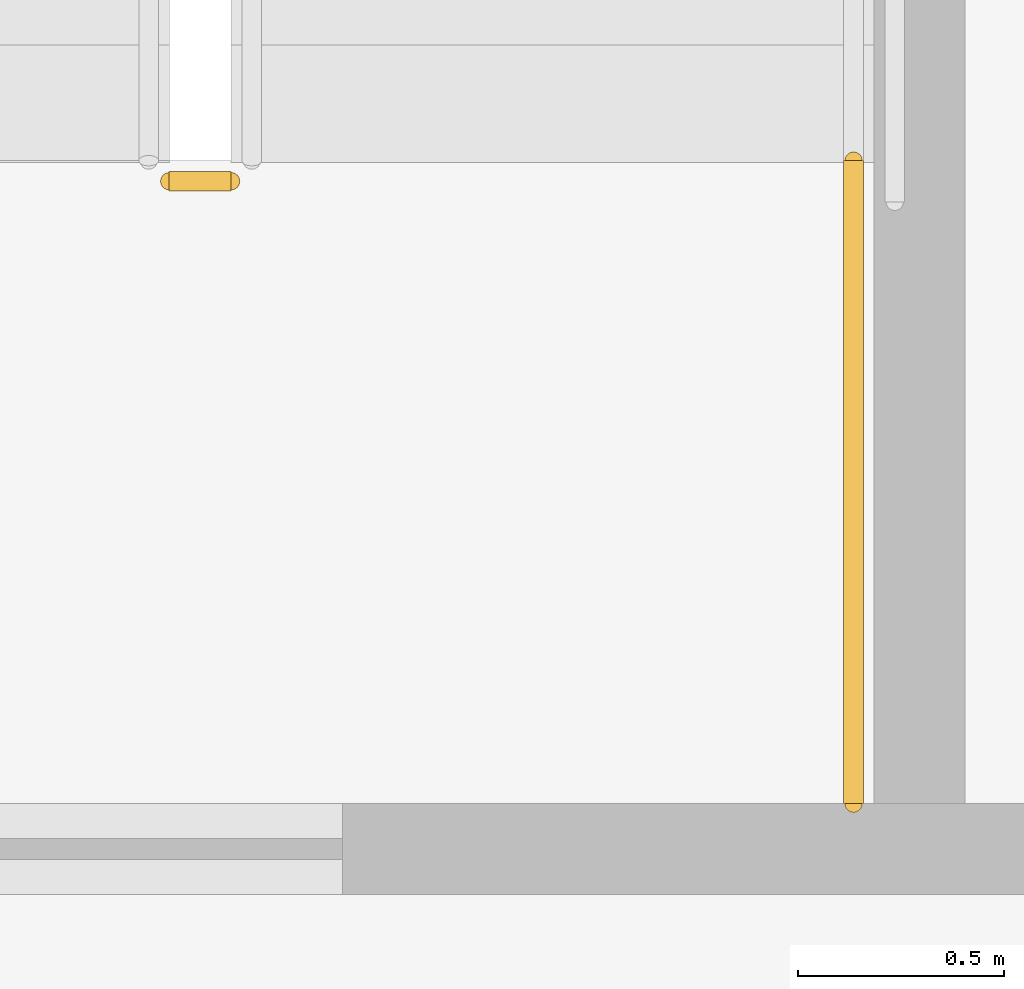
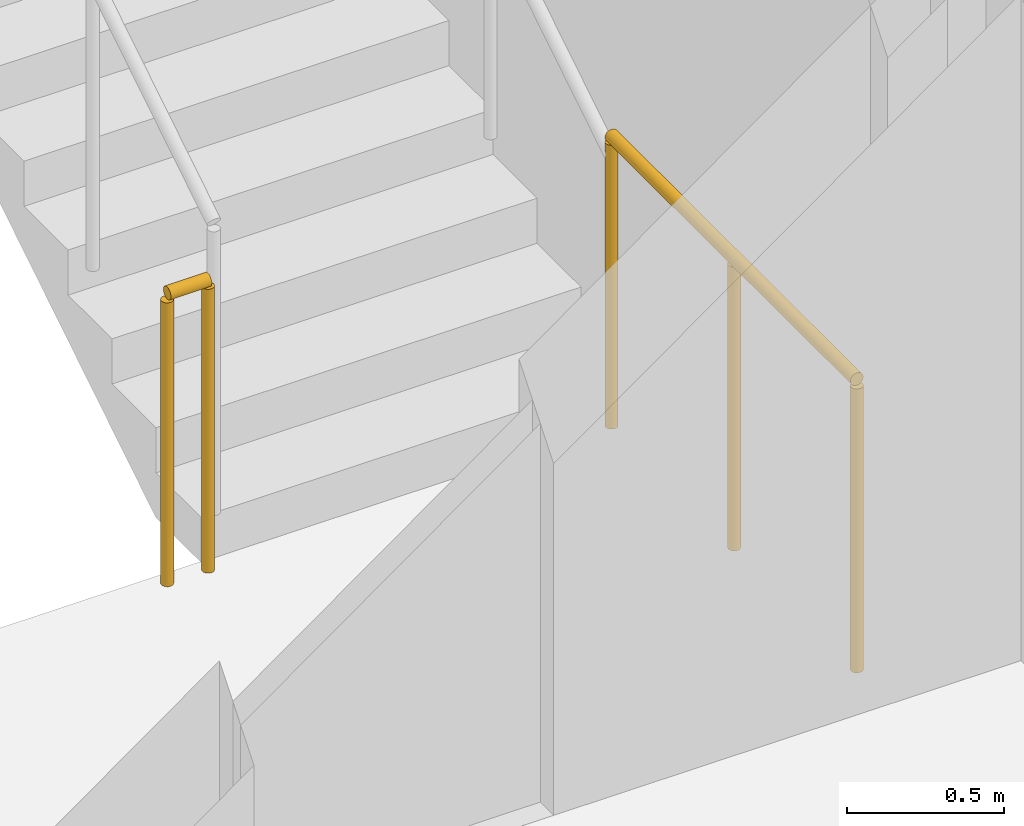
# One storey, part 12 of 15: 2 railings.
"""IFC4 building model written with IfcOpenShell, lengths in metres."""

import ifcopenshell
import ifcopenshell.guid

model = None  # the IFC model being written
_history = None  # IfcOwnerHistory: only IFC2X3 demands one
_inside = {}  # id of a spatial element -> (the spatial element, [elements in it])
_under = {}  # id of a project, library or spatial element -> (it, [spatial elements below it])
_declared = {}  # id of a project -> (the project, [libraries it declares])
_typed = {}  # id of a type object -> (the type object, [elements of that type])
_made_of = {}  # id of a material, layer set ... -> (it, [elements and type objects made of it])


def new_model(schema):
    """Start an empty IFC model of exactly this schema.

    Asked for "IFC4X3", IfcOpenShell would pick the latest addendum, in which some entities
    have other attributes; the version numbers below select the first issue.
    IFC2X3 requires an IfcOwnerHistory on every rooted entity: one is made here for all.
    """
    global model, _history
    if schema == "IFC4X3":
        model = ifcopenshell.file(schema_version=(4, 3, 0, 0))
    else:
        model = ifcopenshell.file(schema=schema)
    _inside.clear()
    _under.clear()
    _declared.clear()
    _typed.clear()
    _made_of.clear()
    _history = None
    if model.schema == "IFC2X3":
        org = make("IfcOrganization", Name="unknown")
        user = make(
            "IfcPersonAndOrganization",
            ThePerson=make("IfcPerson", FamilyName="unknown"),
            TheOrganization=org,
        )
        app = make(
            "IfcApplication",
            ApplicationDeveloper=org,
            Version="unknown",
            ApplicationFullName="unknown",
            ApplicationIdentifier="unknown",
        )
        _history = make(
            "IfcOwnerHistory",
            OwningUser=user,
            OwningApplication=app,
            ChangeAction="ADDED",
            CreationDate=0,
        )
    return model


def make(cls, **values):
    """One entity of the class cls with the attributes given. An attribute that is None is left unset."""
    return model.create_entity(
        cls, **{name: value for name, value in values.items() if value is not None}
    )


def rooted(cls, **values):
    """An entity with a GlobalId (a new one), such as an element, a storey or a relation."""
    return make(cls, GlobalId=ifcopenshell.guid.new(), OwnerHistory=_history, **values)


def si_unit(unit_type, name, prefix=None):
    """IfcSIUnit, for example si_unit("LENGTHUNIT", "METRE", prefix="MILLI")."""
    return make("IfcSIUnit", UnitType=unit_type, Prefix=prefix, Name=name)


def assignment(units):
    """IfcUnitAssignment: the units of a project."""
    return None if units is None else make("IfcUnitAssignment", Units=units)


def point(xyz):
    """IfcCartesianPoint."""
    return None if xyz is None else make("IfcCartesianPoint", Coordinates=xyz)


def direction(xyz):
    """IfcDirection."""
    return None if xyz is None else make("IfcDirection", DirectionRatios=xyz)


def frame(location, z_axis=None, x_axis=None):
    """IfcAxis2Placement3D, a coordinate frame: its origin and axes. An axis left out is left unset."""
    return make(
        "IfcAxis2Placement3D",
        Location=point(location),
        Axis=direction(z_axis),
        RefDirection=direction(x_axis),
    )


def frame_2d(location, x_axis=None):
    """IfcAxis2Placement2D, a coordinate frame in the plane: its origin and x axis."""
    return make(
        "IfcAxis2Placement2D", Location=point(location), RefDirection=direction(x_axis)
    )


def origin():
    """The frame at (0, 0, 0) with its axes left unset."""
    return frame((0.0, 0.0, 0.0))


def origin_2d():
    """The frame at (0, 0) in the plane with its x axis left unset."""
    return frame_2d((0.0, 0.0))


def place(relative_to, where):
    """IfcLocalPlacement: puts the frame where relative to a parent placement (None: the world)."""
    return make(
        "IfcLocalPlacement", PlacementRelTo=relative_to, RelativePlacement=where
    )


def context(
    kind, dimensions, precision=None, world=None, true_north=None, identifier=None
):
    """IfcGeometricRepresentationContext, for example the 3D "Model" context."""
    return make(
        "IfcGeometricRepresentationContext",
        ContextIdentifier=identifier,
        ContextType=kind,
        CoordinateSpaceDimension=dimensions,
        Precision=precision,
        WorldCoordinateSystem=world,
        TrueNorth=true_north,
    )


def subcontext(parent, identifier, kind, view, scale=None):
    """IfcGeometricRepresentationSubContext, for example "Body" below "Model"."""
    return make(
        "IfcGeometricRepresentationSubContext",
        ContextIdentifier=identifier,
        ContextType=kind,
        ParentContext=parent,
        TargetScale=scale,
        TargetView=view,
    )


def project(units=None, contexts=None):
    """IfcProject with its units and contexts."""
    return rooted(
        "IfcProject",
        Name="project",
        RepresentationContexts=contexts,
        UnitsInContext=assignment(units),
    )


def spatial(cls, under=None, at=None, **own):
    """A site, building, storey or space (cls), placed at a placement, below another one or the project."""
    s = rooted(cls, ObjectPlacement=at, **own)
    if under is not None:
        _under.setdefault(under.id(), (under, []))[1].append(s)
    return s


def profile(cls, at=None, kind="AREA", **sizes):
    """A parametric profile (cls). Its sizes go by their IFC names, for example OverallWidth=200.0."""
    return make(cls, ProfileType=kind, Position=at, **sizes)


def circle(**sizes):
    """IfcCircleProfileDef."""
    return profile("IfcCircleProfileDef", **sizes)


def extrude(swept, where, along, depth):
    """IfcExtrudedAreaSolid: the profile swept, set in the frame where, extruded along a direction by depth."""
    return make(
        "IfcExtrudedAreaSolid",
        SweptArea=swept,
        Position=where,
        ExtrudedDirection=direction(along),
        Depth=depth,
    )


def shape(context_of_items, identifier, shape_type, items):
    """IfcShapeRepresentation: the items that make up one representation, for example the "Body"."""
    return make(
        "IfcShapeRepresentation",
        ContextOfItems=context_of_items,
        RepresentationIdentifier=identifier,
        RepresentationType=shape_type,
        Items=items,
    )


def material(Name=None, Category=None):
    """IfcMaterial."""
    return make("IfcMaterial", Name=Name, Category=Category)


def made_of(thing, what):
    """Note that an element or type object is made of a material, layer set ...; save() writes the relation."""
    if what is not None:
        _made_of.setdefault(what.id(), (what, []))[1].append(thing)
    return thing


def type_object(cls, material=None, **own):
    """A type object (cls), such as IfcWallType, which elements share."""
    return made_of(rooted(cls, **own), material)


def element(
    cls,
    number,
    at=None,
    inside=None,
    cuts=None,
    type_object=None,
    material=None,
    context=None,
    identifier="Body",
    shape_type=None,
    held_by="IfcProductDefinitionShape",
    body=None,
    shapes=None,
    **own,
):
    """One element of the class cls, such as IfcWall. Its Tag is "e" and its number.

    at: its placement. inside: the storey or other place that contains it. cuts: it is an
    opening in that element (IfcRelVoidsElement). A single representation is given by context,
    identifier, shape_type and body (its items); several are given by shapes. held_by: the class
    of the entity that holds the representations. save() writes the other relations.
    """
    e = rooted(cls, Tag="e%d" % number, ObjectPlacement=at, **own)
    if body is not None:
        shapes = [shape(context, identifier, shape_type, body)]
    if shapes is not None:
        e.Representation = make(held_by, Representations=shapes)
    if inside is not None:
        _inside.setdefault(inside.id(), (inside, []))[1].append(e)
    if cuts is not None:
        rooted(
            "IfcRelVoidsElement", RelatingBuildingElement=cuts, RelatedOpeningElement=e
        )
    if type_object is not None:
        _typed.setdefault(type_object.id(), (type_object, []))[1].append(e)
    return made_of(e, material)


def aggregate(whole, parts):
    """IfcRelAggregates: a whole, such as a stair, and the parts it consists of."""
    return rooted("IfcRelAggregates", RelatingObject=whole, RelatedObjects=parts)


def save(model, path):
    """Write the relations noted so far, then the file.

    IfcRelAggregates (storeys below a building ...), IfcRelContainedInSpatialStructure (elements
    in a storey), IfcRelDefinesByType, IfcRelAssociatesMaterial and IfcRelDeclares: one each for
    every whole, place, type object, material and project.
    """
    for whole, parts in _under.values():
        aggregate(whole, parts)
    for where, things in _inside.values():
        rooted(
            "IfcRelContainedInSpatialStructure",
            RelatedElements=things,
            RelatingStructure=where,
        )
    for kind, things in _typed.values():
        rooted("IfcRelDefinesByType", RelatedObjects=things, RelatingType=kind)
    for what, things in _made_of.values():
        rooted("IfcRelAssociatesMaterial", RelatedObjects=things, RelatingMaterial=what)
    for by, libraries in _declared.values():
        rooted("IfcRelDeclares", RelatingContext=by, RelatedDefinitions=libraries)
    model.write(path)


model = new_model("IFC4")

# Units and contexts
model_context = context("Model", 3, precision=1e-05, world=origin(), true_north=direction((0.0, 1.0)))
body_context = subcontext(model_context, "Body", "Model", "MODEL_VIEW")
ifc_project = project(units=[si_unit("LENGTHUNIT", "METRE"), si_unit("AREAUNIT", "SQUARE_METRE"), si_unit("VOLUMEUNIT", "CUBIC_METRE"), si_unit("PLANEANGLEUNIT", "RADIAN"), si_unit("MASSUNIT", "GRAM", prefix="KILO")], contexts=[model_context])

# Site, building, storey
site_placement = place(None, origin())
site = spatial("IfcSite", under=ifc_project, at=site_placement, CompositionType="ELEMENT")
building_placement = place(site_placement, origin())
building = spatial("IfcBuilding", under=site, at=building_placement, Name="Khairoan Windgate Tower", CompositionType="ELEMENT")
storey_placement = place(building_placement, frame((0.0, 0.0, 51.199951171875)))
storey = spatial("IfcBuildingStorey", under=building, at=storey_placement, Name="L12", CompositionType="ELEMENT", Elevation=51.199951171875)

# Railings
ifc_material = material(Name="Steel S355", Category="steel")
railing_type = type_object("IfcRailingType", Name="Stairwell Safety Guardrail SGR-1150", PredefinedType="GUARDRAIL", material=ifc_material)
railing_1_placement = place(storey_placement, frame((-17.7099609375, 2.909912109375, 0.0)))
element("IfcRailing", 1, at=railing_1_placement, inside=storey, type_object=railing_type, Name="L12 ST2 stair guard 7", PredefinedType="GUARDRAIL", context=body_context, shape_type="SweptSolid", body=[
    extrude(circle(Radius=0.02392578125, at=origin_2d()), frame((0.0, 0.0, 1.1259765625), z_axis=(-1.0, 0.0, 0.0), x_axis=(0.0, -1.0, 0.0)), (0.0, 0.0, 1.0), 0.150146484375),
    extrude(circle(Radius=0.02099609375, at=origin_2d()), origin(), (0.0, 0.0, 1.0), 1.101806640625),
    extrude(circle(Radius=0.02099609375, at=origin_2d()), frame((-0.150146484375, 0.0, 0.0)), (0.0, 0.0, 1.0), 1.101806640625),
])
railing_2_placement = place(storey_placement, frame((-16.199951171875, 1.39990234375, 0.0)))
element("IfcRailing", 2, at=railing_2_placement, inside=storey, type_object=railing_type, Name="L12 ST2 stair guard 8", PredefinedType="GUARDRAIL", context=body_context, shape_type="SweptSolid", body=[
    extrude(circle(Radius=0.02392578125, at=origin_2d()), frame((0.0, 0.0, 1.1259765625), z_axis=(0.0, 1.0, 0.0), x_axis=(-1.0, 0.0, 0.0)), (0.0, 0.0, 1.0), 1.56005859375),
    extrude(circle(Radius=0.02099609375, at=origin_2d()), origin(), (0.0, 0.0, 1.0), 1.101806640625),
    extrude(circle(Radius=0.02099609375, at=origin_2d()), frame((0.0, 0.780029296875, 0.0)), (0.0, 0.0, 1.0), 1.101806640625),
    extrude(circle(Radius=0.02099609375, at=origin_2d()), frame((0.0, 1.56005859375, 0.0)), (0.0, 0.0, 1.0), 1.101806640625),
])

save(model, "model.ifc")
